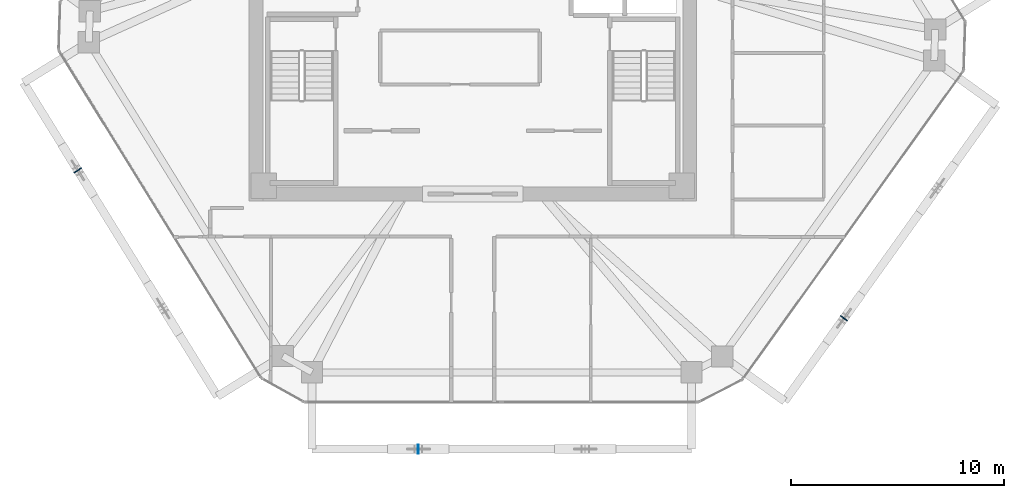
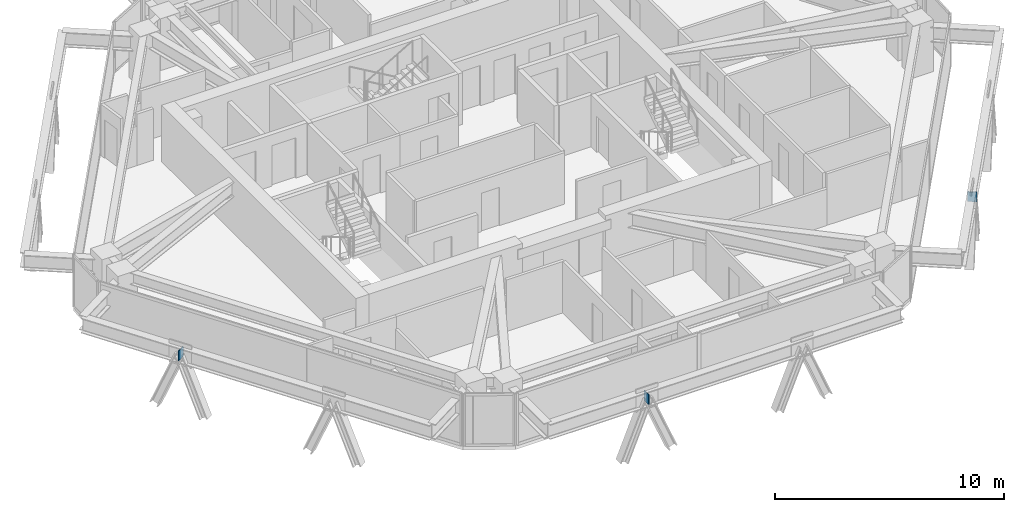
# One storey, part 8 of 14: 3 plates.
"""IFC4 building model written with IfcOpenShell, lengths in metres."""

import ifcopenshell
import ifcopenshell.guid

model = None  # the IFC model being written
_history = None  # IfcOwnerHistory: only IFC2X3 demands one
_inside = {}  # id of a spatial element -> (the spatial element, [elements in it])
_under = {}  # id of a project, library or spatial element -> (it, [spatial elements below it])
_declared = {}  # id of a project -> (the project, [libraries it declares])
_typed = {}  # id of a type object -> (the type object, [elements of that type])
_made_of = {}  # id of a material, layer set ... -> (it, [elements and type objects made of it])


def new_model(schema):
    """Start an empty IFC model of exactly this schema.

    Asked for "IFC4X3", IfcOpenShell would pick the latest addendum, in which some entities
    have other attributes; the version numbers below select the first issue.
    IFC2X3 requires an IfcOwnerHistory on every rooted entity: one is made here for all.
    """
    global model, _history
    if schema == "IFC4X3":
        model = ifcopenshell.file(schema_version=(4, 3, 0, 0))
    else:
        model = ifcopenshell.file(schema=schema)
    _inside.clear()
    _under.clear()
    _declared.clear()
    _typed.clear()
    _made_of.clear()
    _history = None
    if model.schema == "IFC2X3":
        org = make("IfcOrganization", Name="unknown")
        user = make(
            "IfcPersonAndOrganization",
            ThePerson=make("IfcPerson", FamilyName="unknown"),
            TheOrganization=org,
        )
        app = make(
            "IfcApplication",
            ApplicationDeveloper=org,
            Version="unknown",
            ApplicationFullName="unknown",
            ApplicationIdentifier="unknown",
        )
        _history = make(
            "IfcOwnerHistory",
            OwningUser=user,
            OwningApplication=app,
            ChangeAction="ADDED",
            CreationDate=0,
        )
    return model


def make(cls, **values):
    """One entity of the class cls with the attributes given. An attribute that is None is left unset."""
    return model.create_entity(
        cls, **{name: value for name, value in values.items() if value is not None}
    )


def rooted(cls, **values):
    """An entity with a GlobalId (a new one), such as an element, a storey or a relation."""
    return make(cls, GlobalId=ifcopenshell.guid.new(), OwnerHistory=_history, **values)


def si_unit(unit_type, name, prefix=None):
    """IfcSIUnit, for example si_unit("LENGTHUNIT", "METRE", prefix="MILLI")."""
    return make("IfcSIUnit", UnitType=unit_type, Prefix=prefix, Name=name)


def assignment(units):
    """IfcUnitAssignment: the units of a project."""
    return None if units is None else make("IfcUnitAssignment", Units=units)


def point(xyz):
    """IfcCartesianPoint."""
    return None if xyz is None else make("IfcCartesianPoint", Coordinates=xyz)


def direction(xyz):
    """IfcDirection."""
    return None if xyz is None else make("IfcDirection", DirectionRatios=xyz)


def frame(location, z_axis=None, x_axis=None):
    """IfcAxis2Placement3D, a coordinate frame: its origin and axes. An axis left out is left unset."""
    return make(
        "IfcAxis2Placement3D",
        Location=point(location),
        Axis=direction(z_axis),
        RefDirection=direction(x_axis),
    )


def frame_2d(location, x_axis=None):
    """IfcAxis2Placement2D, a coordinate frame in the plane: its origin and x axis."""
    return make(
        "IfcAxis2Placement2D", Location=point(location), RefDirection=direction(x_axis)
    )


def origin():
    """The frame at (0, 0, 0) with its axes left unset."""
    return frame((0.0, 0.0, 0.0))


def origin_2d():
    """The frame at (0, 0) in the plane with its x axis left unset."""
    return frame_2d((0.0, 0.0))


def place(relative_to, where):
    """IfcLocalPlacement: puts the frame where relative to a parent placement (None: the world)."""
    return make(
        "IfcLocalPlacement", PlacementRelTo=relative_to, RelativePlacement=where
    )


def context(
    kind, dimensions, precision=None, world=None, true_north=None, identifier=None
):
    """IfcGeometricRepresentationContext, for example the 3D "Model" context."""
    return make(
        "IfcGeometricRepresentationContext",
        ContextIdentifier=identifier,
        ContextType=kind,
        CoordinateSpaceDimension=dimensions,
        Precision=precision,
        WorldCoordinateSystem=world,
        TrueNorth=true_north,
    )


def subcontext(parent, identifier, kind, view, scale=None):
    """IfcGeometricRepresentationSubContext, for example "Body" below "Model"."""
    return make(
        "IfcGeometricRepresentationSubContext",
        ContextIdentifier=identifier,
        ContextType=kind,
        ParentContext=parent,
        TargetScale=scale,
        TargetView=view,
    )


def project(units=None, contexts=None):
    """IfcProject with its units and contexts."""
    return rooted(
        "IfcProject",
        Name="project",
        RepresentationContexts=contexts,
        UnitsInContext=assignment(units),
    )


def spatial(cls, under=None, at=None, **own):
    """A site, building, storey or space (cls), placed at a placement, below another one or the project."""
    s = rooted(cls, ObjectPlacement=at, **own)
    if under is not None:
        _under.setdefault(under.id(), (under, []))[1].append(s)
    return s


def profile(cls, at=None, kind="AREA", **sizes):
    """A parametric profile (cls). Its sizes go by their IFC names, for example OverallWidth=200.0."""
    return make(cls, ProfileType=kind, Position=at, **sizes)


def rectangle(**sizes):
    """IfcRectangleProfileDef."""
    return profile("IfcRectangleProfileDef", **sizes)


def extrude(swept, where, along, depth):
    """IfcExtrudedAreaSolid: the profile swept, set in the frame where, extruded along a direction by depth."""
    return make(
        "IfcExtrudedAreaSolid",
        SweptArea=swept,
        Position=where,
        ExtrudedDirection=direction(along),
        Depth=depth,
    )


def shape(context_of_items, identifier, shape_type, items):
    """IfcShapeRepresentation: the items that make up one representation, for example the "Body"."""
    return make(
        "IfcShapeRepresentation",
        ContextOfItems=context_of_items,
        RepresentationIdentifier=identifier,
        RepresentationType=shape_type,
        Items=items,
    )


def source(mapping_origin, context_of_items, identifier, shape_type, items):
    """IfcRepresentationMap: a shape defined once, which mapped items show again and again."""
    return make(
        "IfcRepresentationMap",
        MappingOrigin=mapping_origin,
        MappedRepresentation=shape(context_of_items, identifier, shape_type, items),
    )


def transform(
    local_origin,
    x_axis=None,
    y_axis=None,
    z_axis=None,
    scale=None,
    scale2=None,
    scale3=None,
    uniform=True,
):
    """IfcCartesianTransformationOperator3D, or its non-uniform kind. x_axis, y_axis, z_axis: its Axis1, 2, 3."""
    if uniform:
        return make(
            "IfcCartesianTransformationOperator3D",
            Axis1=direction(x_axis),
            Axis2=direction(y_axis),
            LocalOrigin=point(local_origin),
            Scale=scale,
            Axis3=direction(z_axis),
        )
    return make(
        "IfcCartesianTransformationOperator3DnonUniform",
        Axis1=direction(x_axis),
        Axis2=direction(y_axis),
        LocalOrigin=point(local_origin),
        Scale=scale,
        Axis3=direction(z_axis),
        Scale2=scale2,
        Scale3=scale3,
    )


def mapped(mapping_source, mapping_target):
    """IfcMappedItem: shows the shape of a source again, moved by a transform."""
    return make(
        "IfcMappedItem", MappingSource=mapping_source, MappingTarget=mapping_target
    )


def material(Name=None, Category=None):
    """IfcMaterial."""
    return make("IfcMaterial", Name=Name, Category=Category)


def layer(
    of_material, thickness, ventilated=None, Name=None, Category=None, Priority=None
):
    """IfcMaterialLayer: one layer of a wall or slab, of a material (None: an air gap)."""
    return make(
        "IfcMaterialLayer",
        Material=of_material,
        LayerThickness=thickness,
        IsVentilated=ventilated,
        Name=Name,
        Category=Category,
        Priority=Priority,
    )


def layer_set(layers, Name=None):
    """IfcMaterialLayerSet."""
    return make("IfcMaterialLayerSet", MaterialLayers=layers, LayerSetName=Name)


def made_of(thing, what):
    """Note that an element or type object is made of a material, layer set ...; save() writes the relation."""
    if what is not None:
        _made_of.setdefault(what.id(), (what, []))[1].append(thing)
    return thing


def type_object(cls, material=None, **own):
    """A type object (cls), such as IfcWallType, which elements share."""
    return made_of(rooted(cls, **own), material)


def type_shapes(of_type, sources):
    """Give a type object the sources (RepresentationMaps) that its elements show as mapped items."""
    of_type.RepresentationMaps = sources


def element(
    cls,
    number,
    at=None,
    inside=None,
    cuts=None,
    type_object=None,
    material=None,
    context=None,
    identifier="Body",
    shape_type=None,
    held_by="IfcProductDefinitionShape",
    body=None,
    shapes=None,
    **own,
):
    """One element of the class cls, such as IfcWall. Its Tag is "e" and its number.

    at: its placement. inside: the storey or other place that contains it. cuts: it is an
    opening in that element (IfcRelVoidsElement). A single representation is given by context,
    identifier, shape_type and body (its items); several are given by shapes. held_by: the class
    of the entity that holds the representations. save() writes the other relations.
    """
    e = rooted(cls, Tag="e%d" % number, ObjectPlacement=at, **own)
    if body is not None:
        shapes = [shape(context, identifier, shape_type, body)]
    if shapes is not None:
        e.Representation = make(held_by, Representations=shapes)
    if inside is not None:
        _inside.setdefault(inside.id(), (inside, []))[1].append(e)
    if cuts is not None:
        rooted(
            "IfcRelVoidsElement", RelatingBuildingElement=cuts, RelatedOpeningElement=e
        )
    if type_object is not None:
        _typed.setdefault(type_object.id(), (type_object, []))[1].append(e)
    return made_of(e, material)


def aggregate(whole, parts):
    """IfcRelAggregates: a whole, such as a stair, and the parts it consists of."""
    return rooted("IfcRelAggregates", RelatingObject=whole, RelatedObjects=parts)


def save(model, path):
    """Write the relations noted so far, then the file.

    IfcRelAggregates (storeys below a building ...), IfcRelContainedInSpatialStructure (elements
    in a storey), IfcRelDefinesByType, IfcRelAssociatesMaterial and IfcRelDeclares: one each for
    every whole, place, type object, material and project.
    """
    for whole, parts in _under.values():
        aggregate(whole, parts)
    for where, things in _inside.values():
        rooted(
            "IfcRelContainedInSpatialStructure",
            RelatedElements=things,
            RelatingStructure=where,
        )
    for kind, things in _typed.values():
        rooted("IfcRelDefinesByType", RelatedObjects=things, RelatingType=kind)
    for what, things in _made_of.values():
        rooted("IfcRelAssociatesMaterial", RelatedObjects=things, RelatingMaterial=what)
    for by, libraries in _declared.values():
        rooted("IfcRelDeclares", RelatingContext=by, RelatedDefinitions=libraries)
    model.write(path)


model = new_model("IFC4")

# Units and contexts
model_context = context("Model", 3, precision=1e-05, world=origin(), true_north=direction((0.0, 1.0)))
body_context = subcontext(model_context, "Body", "Model", "MODEL_VIEW")
ifc_project = project(units=[si_unit("LENGTHUNIT", "METRE"), si_unit("AREAUNIT", "SQUARE_METRE"), si_unit("VOLUMEUNIT", "CUBIC_METRE"), si_unit("PLANEANGLEUNIT", "RADIAN"), si_unit("MASSUNIT", "GRAM", prefix="KILO")], contexts=[model_context])

# Site, building, storey
site_placement = place(None, origin())
site = spatial("IfcSite", under=ifc_project, at=site_placement, CompositionType="ELEMENT")
building_placement = place(site_placement, origin())
building = spatial("IfcBuilding", under=site, at=building_placement, Name="Durnholm Broadcast Tower", CompositionType="ELEMENT")
storey_placement = place(building_placement, frame((0.0, 0.0, 200.199951171875)))
storey = spatial("IfcBuildingStorey", under=building, at=storey_placement, Name="L55", CompositionType="ELEMENT", Elevation=200.199951171875)

# Plates
ifc_material = material(Name="Steel ASTM A572 Grade 50", Category="steel")
ifc_layer = layer(ifc_material, 0.044921875)
ifc_layer_set = layer_set([ifc_layer], Name="Steel ASTM A572 Grade 50")
plate_type = type_object("IfcPlateType", Name="PLT-KN-STIF", PredefinedType="SHEET", material=ifc_layer_set)
shared_shape = source(origin(), body_context, "Body", "SweptSolid", [
    extrude(rectangle(XDim=0.044921875, YDim=0.419921875, at=origin_2d()), origin(), (0.0, 0.0, 1.0), 0.52001953125),
])
type_shapes(plate_type, [shared_shape])
for number, where, z_axis, x_axis, name in (
    (1, (-2.556640625, -20.14208984375, 1.74853515625), (0.0, 0.0, 1.0), (1.0, 0.0, 0.0), "L55 welded diagrid node stiffener plate F1"),
    (2, (17.40966796875, -14.009521484375, 1.74853515625), (0.0, 0.0, 1.0), (0.582122970157, 0.813100761047, 0.0), "L55 welded diagrid node stiffener plate F2"),
    (3, (-18.5244140625, -7.07080078125, 1.74853515625), (0.0, 0.0, 1.0), (0.525768608156, -0.850627633385, 0.0), "L55 welded diagrid node stiffener plate F6"),
):
    element("IfcPlate", number, at=place(storey_placement, frame(where, z_axis=z_axis, x_axis=x_axis)), inside=storey, type_object=plate_type, Name=name, PredefinedType="SHEET", context=body_context, shape_type="MappedRepresentation", body=[
        mapped(shared_shape, transform((0.0, 0.0, 0.0), x_axis=(1.0, 0.0, 0.0), y_axis=(0.0, 1.0, 0.0), z_axis=(0.0, 0.0, 1.0), scale=1.0)),
    ])

save(model, "model.ifc")
